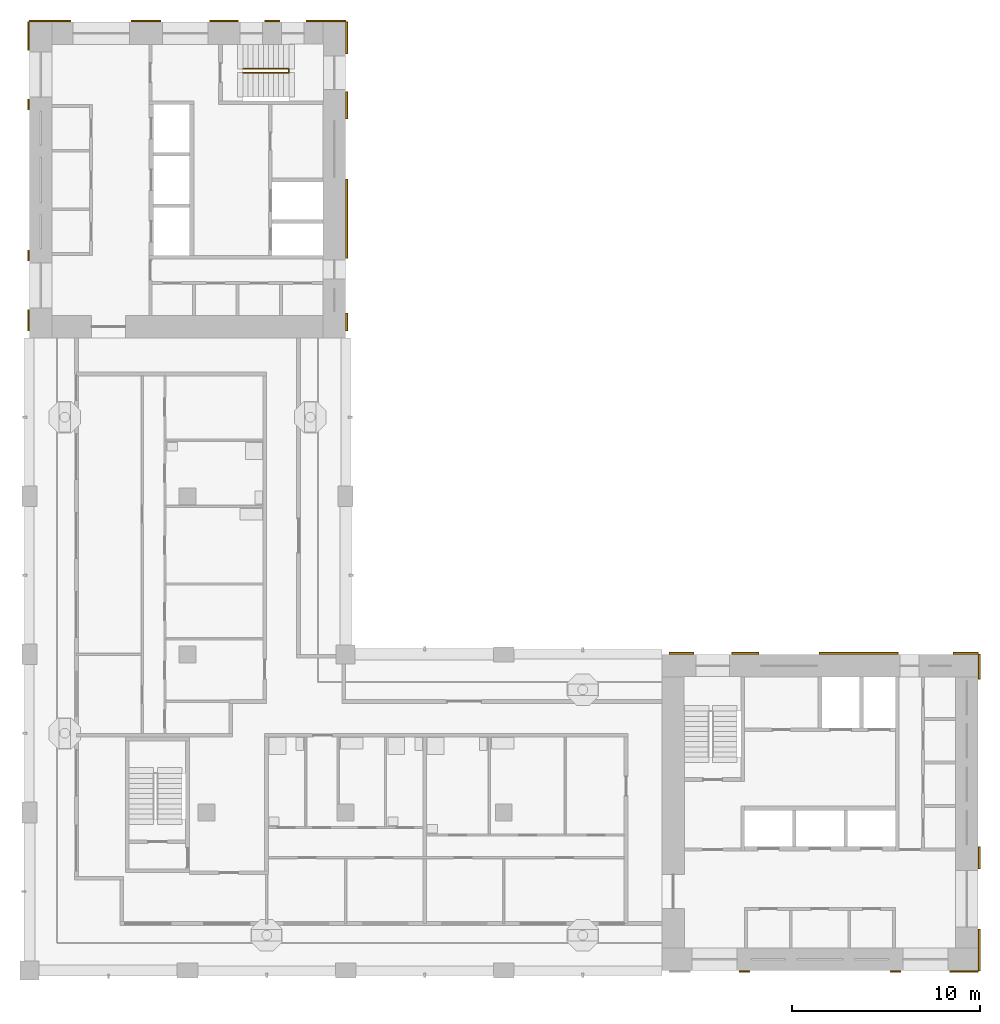
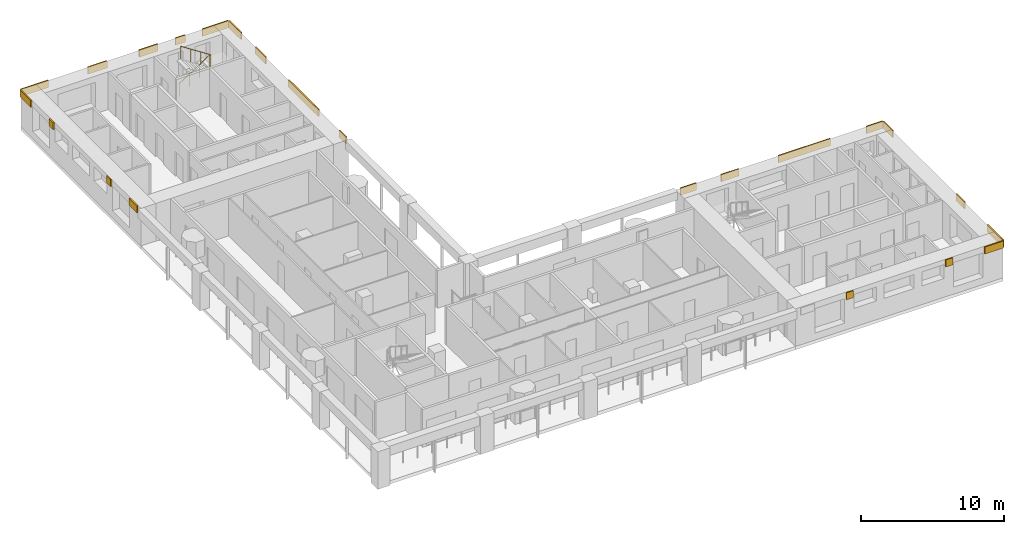
# One storey, part 9 of 12: 23 shading devices, 1 railing.
"""IFC4 building model written with IfcOpenShell, lengths in metres."""

from ifc_helpers import new_model, si_unit, direction, frame, origin, origin_2d, place, context, subcontext, project, spatial, rectangle, circle, extrude, material, layer, layer_set, type_object, element, save


model = new_model("IFC4")

# Units and contexts
model_context = context("Model", 3, precision=1e-05, world=origin(), true_north=direction((0.0, 1.0)))
body_context = subcontext(model_context, "Body", "Model", "MODEL_VIEW")
ifc_project = project(units=[si_unit("LENGTHUNIT", "METRE"), si_unit("AREAUNIT", "SQUARE_METRE"), si_unit("VOLUMEUNIT", "CUBIC_METRE"), si_unit("PLANEANGLEUNIT", "RADIAN"), si_unit("MASSUNIT", "GRAM", prefix="KILO")], contexts=[model_context])

# Site, building, storey
site_placement = place(None, origin())
site = spatial("IfcSite", under=ifc_project, at=site_placement, CompositionType="ELEMENT")
building_placement = place(site_placement, origin())
building = spatial("IfcBuilding", under=site, at=building_placement, Name="Vermilion Gate Residences", CompositionType="ELEMENT")
storey_placement = place(building_placement, frame((0.0, 0.0, 242.199951171875)))
storey = spatial("IfcBuildingStorey", under=building, at=storey_placement, Name="L63", CompositionType="ELEMENT", Elevation=242.199951171875)

# Railing
ifc_material_1 = material(Name="Steel S355", Category="steel")
railing_type = type_object("IfcRailingType", Name="STAIR GUARD 1100 STEEL", PredefinedType="GUARDRAIL", material=ifc_material_1)
railing_placement = place(storey_placement, frame((19.75, 56.300048828125, 0.175048828125)))
element("IfcRailing", 1, at=railing_placement, inside=storey, type_object=railing_type, Name="Stair well guard STB1-63", PredefinedType="GUARDRAIL", context=body_context, shape_type="SweptSolid", body=[
    extrude(circle(Radius=0.02392578125, at=origin_2d()), frame((0.0, 0.0, 1.076171875), z_axis=(0.839153699163, 0.0, 0.543894354798), x_axis=(0.0, 1.0, 0.0)), (0.0, 0.0, 1.0), 2.895751953125),
    extrude(circle(Radius=0.02392578125, at=origin_2d()), frame((2.429931640625, 0.0, 2.65087890625), z_axis=(0.0, -0.752405939678, 0.658699705433), x_axis=(1.0, 0.0, 0.0)), (0.0, 0.0, 1.0), 0.265869140625),
    extrude(circle(Radius=0.02392578125, at=origin_2d()), frame((2.429931640625, -0.199951171875, 2.826171875), z_axis=(-0.839153699163, 0.0, 0.543894354798), x_axis=(0.0, -1.0, 0.0)), (0.0, 0.0, 1.0), 2.895751953125),
    extrude(circle(Radius=0.02099609375, at=origin_2d()), origin(), (0.0, 0.0, 1.0), 1.052001953125),
    extrude(circle(Radius=0.02099609375, at=origin_2d()), frame((0.81005859375, 0.0, 0.52490234375)), (0.0, 0.0, 1.0), 1.052001953125),
    extrude(circle(Radius=0.02099609375, at=origin_2d()), frame((1.619873046875, 0.0, 1.050048828125)), (0.0, 0.0, 1.0), 1.052001953125),
    extrude(circle(Radius=0.02099609375, at=origin_2d()), frame((2.429931640625, 0.0, 1.574951171875)), (0.0, 0.0, 1.0), 1.052001953125),
    extrude(circle(Radius=0.02099609375, at=origin_2d()), frame((2.429931640625, -0.199951171875, 1.75)), (0.0, 0.0, 1.0), 1.052001953125),
    extrude(circle(Radius=0.02099609375, at=origin_2d()), frame((1.619873046875, -0.199951171875, 2.27490234375)), (0.0, 0.0, 1.0), 1.052001953125),
    extrude(circle(Radius=0.02099609375, at=origin_2d()), frame((0.81005859375, -0.199951171875, 2.800048828125)), (0.0, 0.0, 1.0), 1.052001953125),
    extrude(circle(Radius=0.02099609375, at=origin_2d()), frame((0.0, -0.199951171875, 3.324951171875)), (0.0, 0.0, 1.0), 1.052001953125),
])

# Shading devices
ifc_material_2 = material(Name="Extruded terracotta", Category="masonry")
ifc_layer = layer(ifc_material_2, 0.10009765625)
ifc_layer_set = layer_set([ifc_layer], Name="TERRACOTTA SPANDREL BAND 600 X 100")
shading_device_type = type_object("IfcShadingDeviceType", Name="TERRACOTTA SPANDREL BAND 600 X 100", PredefinedType="USERDEFINED", material=ifc_layer_set)
for number, where, z_axis, x_axis, name in (
    (2, (46.3798828125, 8.35009765625, 2.6201171875), (0.0, 0.0, 1.0), (1.0, 0.0, 0.0), "SPANDREL BAND"),
    (3, (54.419921875, 8.35009765625, 2.6201171875), (0.0, 0.0, 1.0), (1.0, 0.0, 0.0), "SPANDREL BAND"),
):
    element("IfcShadingDevice", number, at=place(storey_placement, frame(where, z_axis=z_axis, x_axis=x_axis)), inside=storey, type_object=shading_device_type, Name=name, ObjectType="BAND", PredefinedType="USERDEFINED", context=body_context, shape_type="SweptSolid", body=[
        extrude(rectangle(XDim=0.56005859375, YDim=0.10009765625, at=origin_2d()), origin(), (0.0, 0.0, 1.0), 0.60009765625),
    ])
shading_device_1_placement = place(storey_placement, frame((58.050048828125, 8.35009765625, 2.6201171875), z_axis=(0.0, 0.0, 1.0), x_axis=(1.0, 0.0, 0.0)))
element("IfcShadingDevice", 4, at=shading_device_1_placement, inside=storey, type_object=shading_device_type, Name="SPANDREL BAND", ObjectType="BAND", PredefinedType="USERDEFINED", context=body_context, shape_type="SweptSolid", body=[
    extrude(rectangle(XDim=1.5, YDim=0.10009765625, at=origin_2d()), origin(), (0.0, 0.0, 1.0), 0.60009765625),
])
shading_device_2_placement = place(storey_placement, frame((43.050048828125, 25.25, 2.6201171875), z_axis=(0.0, 0.0, 1.0), x_axis=(1.0, 0.0, 0.0)))
element("IfcShadingDevice", 5, at=shading_device_2_placement, inside=storey, type_object=shading_device_type, Name="SPANDREL BAND", ObjectType="BAND", PredefinedType="USERDEFINED", context=body_context, shape_type="SweptSolid", body=[
    extrude(rectangle(XDim=1.300048828125, YDim=0.10009765625, at=origin_2d()), origin(), (0.0, 0.0, 1.0), 0.60009765625),
])
shading_device_3_placement = place(storey_placement, frame((46.425048828125, 25.25, 2.6201171875), z_axis=(0.0, 0.0, 1.0), x_axis=(1.0, 0.0, 0.0)))
element("IfcShadingDevice", 6, at=shading_device_3_placement, inside=storey, type_object=shading_device_type, Name="SPANDREL BAND", ObjectType="BAND", PredefinedType="USERDEFINED", context=body_context, shape_type="SweptSolid", body=[
    extrude(rectangle(XDim=1.449951171875, YDim=0.10009765625, at=origin_2d()), origin(), (0.0, 0.0, 1.0), 0.60009765625),
])
shading_device_4_placement = place(storey_placement, frame((52.449951171875, 25.25, 2.6201171875), z_axis=(0.0, 0.0, 1.0), x_axis=(1.0, 0.0, 0.0)))
element("IfcShadingDevice", 7, at=shading_device_4_placement, inside=storey, type_object=shading_device_type, Name="SPANDREL BAND", ObjectType="BAND", PredefinedType="USERDEFINED", context=body_context, shape_type="SweptSolid", body=[
    extrude(rectangle(XDim=4.199951171875, YDim=0.10009765625, at=origin_2d()), origin(), (0.0, 0.0, 1.0), 0.60009765625),
])
shading_device_5_placement = place(storey_placement, frame((58.137451171875, 25.25, 2.6201171875), z_axis=(0.0, 0.0, 1.0), x_axis=(1.0, 0.0, 0.0)))
element("IfcShadingDevice", 8, at=shading_device_5_placement, inside=storey, type_object=shading_device_type, Name="SPANDREL BAND", ObjectType="BAND", PredefinedType="USERDEFINED", context=body_context, shape_type="SweptSolid", body=[
    extrude(rectangle(XDim=1.324951171875, YDim=0.10009765625, at=origin_2d()), origin(), (0.0, 0.0, 1.0), 0.60009765625),
])
shading_device_6_placement = place(storey_placement, frame((58.85009765625, 9.50244140625, 2.6201171875), z_axis=(0.0, 0.0, 1.0), x_axis=(0.0, 1.0, 0.0)))
element("IfcShadingDevice", 9, at=shading_device_6_placement, inside=storey, type_object=shading_device_type, Name="SPANDREL BAND", ObjectType="BAND", PredefinedType="USERDEFINED", context=body_context, shape_type="SweptSolid", body=[
    extrude(rectangle(XDim=2.205078125, YDim=0.10009765625, at=origin_2d()), origin(), (0.0, 0.0, 1.0), 0.60009765625),
])
shading_device_7_placement = place(storey_placement, frame((58.85009765625, 14.39306640625, 2.6201171875), z_axis=(0.0, 0.0, 1.0), x_axis=(0.0, 1.0, 0.0)))
element("IfcShadingDevice", 10, at=shading_device_7_placement, inside=storey, type_object=shading_device_type, Name="SPANDREL BAND", ObjectType="BAND", PredefinedType="USERDEFINED", context=body_context, shape_type="SweptSolid", body=[
    extrude(rectangle(XDim=1.17626953125, YDim=0.10009765625, at=origin_2d()), origin(), (0.0, 0.0, 1.0), 0.60009765625),
])
shading_device_8_placement = place(storey_placement, frame((58.85009765625, 24.54443359375, 2.6201171875), z_axis=(0.0, 0.0, 1.0), x_axis=(0.0, 1.0, 0.0)))
element("IfcShadingDevice", 11, at=shading_device_8_placement, inside=storey, type_object=shading_device_type, Name="SPANDREL BAND", ObjectType="BAND", PredefinedType="USERDEFINED", context=body_context, shape_type="SweptSolid", body=[
    extrude(rectangle(XDim=1.311279296875, YDim=0.10009765625, at=origin_2d()), origin(), (0.0, 0.0, 1.0), 0.60009765625),
])
shading_device_9_placement = place(storey_placement, frame((9.50244140625, 58.85009765625, 2.6201171875), z_axis=(0.0, 0.0, 1.0), x_axis=(1.0, 0.0, 0.0)))
element("IfcShadingDevice", 12, at=shading_device_9_placement, inside=storey, type_object=shading_device_type, Name="SPANDREL BAND", ObjectType="BAND", PredefinedType="USERDEFINED", context=body_context, shape_type="SweptSolid", body=[
    extrude(rectangle(XDim=2.205078125, YDim=0.10009765625, at=origin_2d()), origin(), (0.0, 0.0, 1.0), 0.60009765625),
])
shading_device_10_placement = place(storey_placement, frame((14.590087890625, 58.85009765625, 2.6201171875), z_axis=(0.0, 0.0, 1.0), x_axis=(1.0, 0.0, 0.0)))
element("IfcShadingDevice", 13, at=shading_device_10_placement, inside=storey, type_object=shading_device_type, Name="SPANDREL BAND", ObjectType="BAND", PredefinedType="USERDEFINED", context=body_context, shape_type="SweptSolid", body=[
    extrude(rectangle(XDim=1.570068359375, YDim=0.10009765625, at=origin_2d()), origin(), (0.0, 0.0, 1.0), 0.60009765625),
])
shading_device_11_placement = place(storey_placement, frame((18.734130859375, 58.85009765625, 2.6201171875), z_axis=(0.0, 0.0, 1.0), x_axis=(1.0, 0.0, 0.0)))
element("IfcShadingDevice", 14, at=shading_device_11_placement, inside=storey, type_object=shading_device_type, Name="SPANDREL BAND", ObjectType="BAND", PredefinedType="USERDEFINED", context=body_context, shape_type="SweptSolid", body=[
    extrude(rectangle(XDim=1.518310546875, YDim=0.10009765625, at=origin_2d()), origin(), (0.0, 0.0, 1.0), 0.60009765625),
])
shading_device_12_placement = place(storey_placement, frame((21.294921875, 58.85009765625, 2.6201171875), z_axis=(0.0, 0.0, 1.0), x_axis=(1.0, 0.0, 0.0)))
element("IfcShadingDevice", 15, at=shading_device_12_placement, inside=storey, type_object=shading_device_type, Name="SPANDREL BAND", ObjectType="BAND", PredefinedType="USERDEFINED", context=body_context, shape_type="SweptSolid", body=[
    extrude(rectangle(XDim=0.803466796875, YDim=0.10009765625, at=origin_2d()), origin(), (0.0, 0.0, 1.0), 0.60009765625),
])
shading_device_13_placement = place(storey_placement, frame((24.1484375, 58.85009765625, 2.6201171875), z_axis=(0.0, 0.0, 1.0), x_axis=(1.0, 0.0, 0.0)))
element("IfcShadingDevice", 16, at=shading_device_13_placement, inside=storey, type_object=shading_device_type, Name="SPANDREL BAND", ObjectType="BAND", PredefinedType="USERDEFINED", context=body_context, shape_type="SweptSolid", body=[
    extrude(rectangle(XDim=2.103271484375, YDim=0.10009765625, at=origin_2d()), origin(), (0.0, 0.0, 1.0), 0.60009765625),
])
shading_device_14_placement = place(storey_placement, frame((8.35009765625, 42.949951171875, 2.6201171875), z_axis=(0.0, 0.0, 1.0), x_axis=(0.0, 1.0, 0.0)))
element("IfcShadingDevice", 17, at=shading_device_14_placement, inside=storey, type_object=shading_device_type, Name="SPANDREL BAND", ObjectType="BAND", PredefinedType="USERDEFINED", context=body_context, shape_type="SweptSolid", body=[
    extrude(rectangle(XDim=1.10009765625, YDim=0.10009765625, at=origin_2d()), origin(), (0.0, 0.0, 1.0), 0.60009765625),
])
for number, where, z_axis, x_axis, name in (
    (18, (8.35009765625, 46.3798828125, 2.6201171875), (0.0, 0.0, 1.0), (0.0, 1.0, 0.0), "SPANDREL BAND"),
    (19, (8.35009765625, 54.419921875, 2.6201171875), (0.0, 0.0, 1.0), (0.0, 1.0, 0.0), "SPANDREL BAND"),
):
    element("IfcShadingDevice", number, at=place(storey_placement, frame(where, z_axis=z_axis, x_axis=x_axis)), inside=storey, type_object=shading_device_type, Name=name, ObjectType="BAND", PredefinedType="USERDEFINED", context=body_context, shape_type="SweptSolid", body=[
        extrude(rectangle(XDim=0.56005859375, YDim=0.10009765625, at=origin_2d()), origin(), (0.0, 0.0, 1.0), 0.60009765625),
    ])
shading_device_15_placement = place(storey_placement, frame((8.35009765625, 58.050048828125, 2.6201171875), z_axis=(0.0, 0.0, 1.0), x_axis=(0.0, 1.0, 0.0)))
element("IfcShadingDevice", 20, at=shading_device_15_placement, inside=storey, type_object=shading_device_type, Name="SPANDREL BAND", ObjectType="BAND", PredefinedType="USERDEFINED", context=body_context, shape_type="SweptSolid", body=[
    extrude(rectangle(XDim=1.5, YDim=0.10009765625, at=origin_2d()), origin(), (0.0, 0.0, 1.0), 0.60009765625),
])
shading_device_16_placement = place(storey_placement, frame((25.25, 42.862548828125, 2.6201171875), z_axis=(0.0, 0.0, 1.0), x_axis=(0.0, 1.0, 0.0)))
element("IfcShadingDevice", 21, at=shading_device_16_placement, inside=storey, type_object=shading_device_type, Name="SPANDREL BAND", ObjectType="BAND", PredefinedType="USERDEFINED", context=body_context, shape_type="SweptSolid", body=[
    extrude(rectangle(XDim=0.925048828125, YDim=0.10009765625, at=origin_2d()), origin(), (0.0, 0.0, 1.0), 0.60009765625),
])
shading_device_17_placement = place(storey_placement, frame((25.25, 48.35009765625, 2.6201171875), z_axis=(0.0, 0.0, 1.0), x_axis=(0.0, 1.0, 0.0)))
element("IfcShadingDevice", 22, at=shading_device_17_placement, inside=storey, type_object=shading_device_type, Name="SPANDREL BAND", ObjectType="BAND", PredefinedType="USERDEFINED", context=body_context, shape_type="SweptSolid", body=[
    extrude(rectangle(XDim=4.199951171875, YDim=0.10009765625, at=origin_2d()), origin(), (0.0, 0.0, 1.0), 0.60009765625),
])
shading_device_18_placement = place(storey_placement, frame((25.25, 54.375, 2.6201171875), z_axis=(0.0, 0.0, 1.0), x_axis=(0.0, 1.0, 0.0)))
element("IfcShadingDevice", 23, at=shading_device_18_placement, inside=storey, type_object=shading_device_type, Name="SPANDREL BAND", ObjectType="BAND", PredefinedType="USERDEFINED", context=body_context, shape_type="SweptSolid", body=[
    extrude(rectangle(XDim=1.449951171875, YDim=0.10009765625, at=origin_2d()), origin(), (0.0, 0.0, 1.0), 0.60009765625),
])
shading_device_19_placement = place(storey_placement, frame((25.25, 57.949951171875, 2.6201171875), z_axis=(0.0, 0.0, 1.0), x_axis=(0.0, 1.0, 0.0)))
element("IfcShadingDevice", 24, at=shading_device_19_placement, inside=storey, type_object=shading_device_type, Name="SPANDREL BAND", ObjectType="BAND", PredefinedType="USERDEFINED", context=body_context, shape_type="SweptSolid", body=[
    extrude(rectangle(XDim=1.699951171875, YDim=0.10009765625, at=origin_2d()), origin(), (0.0, 0.0, 1.0), 0.60009765625),
])

save(model, "model.ifc")
